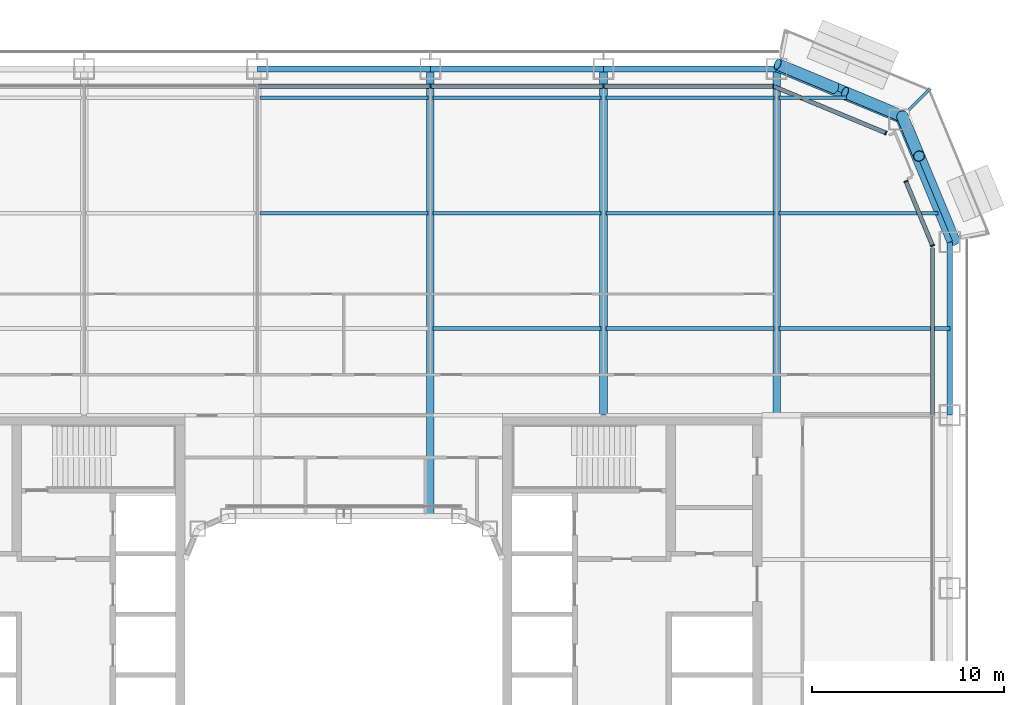
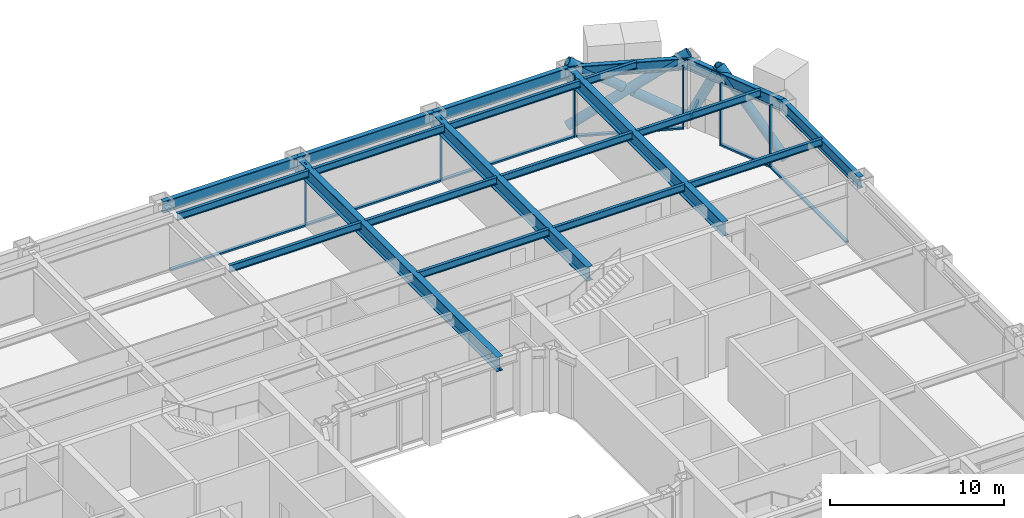
# One storey, part 10 of 30: 21 beams, 17 members, 4 elements without a shape of their own.
"""IFC4 building model written with IfcOpenShell, lengths in metres."""

import ifcopenshell
import ifcopenshell.guid

model = None  # the IFC model being written
_history = None  # IfcOwnerHistory: only IFC2X3 demands one
_inside = {}  # id of a spatial element -> (the spatial element, [elements in it])
_under = {}  # id of a project, library or spatial element -> (it, [spatial elements below it])
_declared = {}  # id of a project -> (the project, [libraries it declares])
_typed = {}  # id of a type object -> (the type object, [elements of that type])
_made_of = {}  # id of a material, layer set ... -> (it, [elements and type objects made of it])


def new_model(schema):
    """Start an empty IFC model of exactly this schema.

    Asked for "IFC4X3", IfcOpenShell would pick the latest addendum, in which some entities
    have other attributes; the version numbers below select the first issue.
    IFC2X3 requires an IfcOwnerHistory on every rooted entity: one is made here for all.
    """
    global model, _history
    if schema == "IFC4X3":
        model = ifcopenshell.file(schema_version=(4, 3, 0, 0))
    else:
        model = ifcopenshell.file(schema=schema)
    _inside.clear()
    _under.clear()
    _declared.clear()
    _typed.clear()
    _made_of.clear()
    _history = None
    if model.schema == "IFC2X3":
        org = make("IfcOrganization", Name="unknown")
        user = make(
            "IfcPersonAndOrganization",
            ThePerson=make("IfcPerson", FamilyName="unknown"),
            TheOrganization=org,
        )
        app = make(
            "IfcApplication",
            ApplicationDeveloper=org,
            Version="unknown",
            ApplicationFullName="unknown",
            ApplicationIdentifier="unknown",
        )
        _history = make(
            "IfcOwnerHistory",
            OwningUser=user,
            OwningApplication=app,
            ChangeAction="ADDED",
            CreationDate=0,
        )
    return model


def make(cls, **values):
    """One entity of the class cls with the attributes given. An attribute that is None is left unset."""
    return model.create_entity(
        cls, **{name: value for name, value in values.items() if value is not None}
    )


def rooted(cls, **values):
    """An entity with a GlobalId (a new one), such as an element, a storey or a relation."""
    return make(cls, GlobalId=ifcopenshell.guid.new(), OwnerHistory=_history, **values)


def si_unit(unit_type, name, prefix=None):
    """IfcSIUnit, for example si_unit("LENGTHUNIT", "METRE", prefix="MILLI")."""
    return make("IfcSIUnit", UnitType=unit_type, Prefix=prefix, Name=name)


def assignment(units):
    """IfcUnitAssignment: the units of a project."""
    return None if units is None else make("IfcUnitAssignment", Units=units)


def point(xyz):
    """IfcCartesianPoint."""
    return None if xyz is None else make("IfcCartesianPoint", Coordinates=xyz)


def direction(xyz):
    """IfcDirection."""
    return None if xyz is None else make("IfcDirection", DirectionRatios=xyz)


def frame(location, z_axis=None, x_axis=None):
    """IfcAxis2Placement3D, a coordinate frame: its origin and axes. An axis left out is left unset."""
    return make(
        "IfcAxis2Placement3D",
        Location=point(location),
        Axis=direction(z_axis),
        RefDirection=direction(x_axis),
    )


def frame_2d(location, x_axis=None):
    """IfcAxis2Placement2D, a coordinate frame in the plane: its origin and x axis."""
    return make(
        "IfcAxis2Placement2D", Location=point(location), RefDirection=direction(x_axis)
    )


def origin():
    """The frame at (0, 0, 0) with its axes left unset."""
    return frame((0.0, 0.0, 0.0))


def origin_2d():
    """The frame at (0, 0) in the plane with its x axis left unset."""
    return frame_2d((0.0, 0.0))


def place(relative_to, where):
    """IfcLocalPlacement: puts the frame where relative to a parent placement (None: the world)."""
    return make(
        "IfcLocalPlacement", PlacementRelTo=relative_to, RelativePlacement=where
    )


def context(
    kind, dimensions, precision=None, world=None, true_north=None, identifier=None
):
    """IfcGeometricRepresentationContext, for example the 3D "Model" context."""
    return make(
        "IfcGeometricRepresentationContext",
        ContextIdentifier=identifier,
        ContextType=kind,
        CoordinateSpaceDimension=dimensions,
        Precision=precision,
        WorldCoordinateSystem=world,
        TrueNorth=true_north,
    )


def subcontext(parent, identifier, kind, view, scale=None):
    """IfcGeometricRepresentationSubContext, for example "Body" below "Model"."""
    return make(
        "IfcGeometricRepresentationSubContext",
        ContextIdentifier=identifier,
        ContextType=kind,
        ParentContext=parent,
        TargetScale=scale,
        TargetView=view,
    )


def project(units=None, contexts=None):
    """IfcProject with its units and contexts."""
    return rooted(
        "IfcProject",
        Name="project",
        RepresentationContexts=contexts,
        UnitsInContext=assignment(units),
    )


def spatial(cls, under=None, at=None, **own):
    """A site, building, storey or space (cls), placed at a placement, below another one or the project."""
    s = rooted(cls, ObjectPlacement=at, **own)
    if under is not None:
        _under.setdefault(under.id(), (under, []))[1].append(s)
    return s


def profile(cls, at=None, kind="AREA", **sizes):
    """A parametric profile (cls). Its sizes go by their IFC names, for example OverallWidth=200.0."""
    return make(cls, ProfileType=kind, Position=at, **sizes)


def rectangle(**sizes):
    """IfcRectangleProfileDef."""
    return profile("IfcRectangleProfileDef", **sizes)


def hollow_rectangle(**sizes):
    """IfcRectangleHollowProfileDef."""
    return profile("IfcRectangleHollowProfileDef", **sizes)


def hollow_circle(**sizes):
    """IfcCircleHollowProfileDef."""
    return profile("IfcCircleHollowProfileDef", **sizes)


def i_section(**sizes):
    """IfcIShapeProfileDef."""
    return profile("IfcIShapeProfileDef", **sizes)


def extrude(swept, where, along, depth):
    """IfcExtrudedAreaSolid: the profile swept, set in the frame where, extruded along a direction by depth."""
    return make(
        "IfcExtrudedAreaSolid",
        SweptArea=swept,
        Position=where,
        ExtrudedDirection=direction(along),
        Depth=depth,
    )


def shape(context_of_items, identifier, shape_type, items):
    """IfcShapeRepresentation: the items that make up one representation, for example the "Body"."""
    return make(
        "IfcShapeRepresentation",
        ContextOfItems=context_of_items,
        RepresentationIdentifier=identifier,
        RepresentationType=shape_type,
        Items=items,
    )


def material(Name=None, Category=None):
    """IfcMaterial."""
    return make("IfcMaterial", Name=Name, Category=Category)


def layer(
    of_material, thickness, ventilated=None, Name=None, Category=None, Priority=None
):
    """IfcMaterialLayer: one layer of a wall or slab, of a material (None: an air gap)."""
    return make(
        "IfcMaterialLayer",
        Material=of_material,
        LayerThickness=thickness,
        IsVentilated=ventilated,
        Name=Name,
        Category=Category,
        Priority=Priority,
    )


def layer_set(layers, Name=None):
    """IfcMaterialLayerSet."""
    return make("IfcMaterialLayerSet", MaterialLayers=layers, LayerSetName=Name)


def material_profile(
    of_material, cross_section, Name=None, Category=None, Priority=None
):
    """IfcMaterialProfile: a cross section and its material."""
    return make(
        "IfcMaterialProfile",
        Name=Name,
        Material=of_material,
        Profile=cross_section,
        Priority=Priority,
        Category=Category,
    )


def profile_set(profiles, Name=None, composite=None):
    """IfcMaterialProfileSet."""
    return make(
        "IfcMaterialProfileSet",
        Name=Name,
        MaterialProfiles=profiles,
        CompositeProfile=composite,
    )


def made_of(thing, what):
    """Note that an element or type object is made of a material, layer set ...; save() writes the relation."""
    if what is not None:
        _made_of.setdefault(what.id(), (what, []))[1].append(thing)
    return thing


def type_object(cls, material=None, **own):
    """A type object (cls), such as IfcWallType, which elements share."""
    return made_of(rooted(cls, **own), material)


def element(
    cls,
    number,
    at=None,
    inside=None,
    cuts=None,
    type_object=None,
    material=None,
    context=None,
    identifier="Body",
    shape_type=None,
    held_by="IfcProductDefinitionShape",
    body=None,
    shapes=None,
    **own,
):
    """One element of the class cls, such as IfcWall. Its Tag is "e" and its number.

    at: its placement. inside: the storey or other place that contains it. cuts: it is an
    opening in that element (IfcRelVoidsElement). A single representation is given by context,
    identifier, shape_type and body (its items); several are given by shapes. held_by: the class
    of the entity that holds the representations. save() writes the other relations.
    """
    e = rooted(cls, Tag="e%d" % number, ObjectPlacement=at, **own)
    if body is not None:
        shapes = [shape(context, identifier, shape_type, body)]
    if shapes is not None:
        e.Representation = make(held_by, Representations=shapes)
    if inside is not None:
        _inside.setdefault(inside.id(), (inside, []))[1].append(e)
    if cuts is not None:
        rooted(
            "IfcRelVoidsElement", RelatingBuildingElement=cuts, RelatedOpeningElement=e
        )
    if type_object is not None:
        _typed.setdefault(type_object.id(), (type_object, []))[1].append(e)
    return made_of(e, material)


def aggregate(whole, parts):
    """IfcRelAggregates: a whole, such as a stair, and the parts it consists of."""
    return rooted("IfcRelAggregates", RelatingObject=whole, RelatedObjects=parts)


def save(model, path):
    """Write the relations noted so far, then the file.

    IfcRelAggregates (storeys below a building ...), IfcRelContainedInSpatialStructure (elements
    in a storey), IfcRelDefinesByType, IfcRelAssociatesMaterial and IfcRelDeclares: one each for
    every whole, place, type object, material and project.
    """
    for whole, parts in _under.values():
        aggregate(whole, parts)
    for where, things in _inside.values():
        rooted(
            "IfcRelContainedInSpatialStructure",
            RelatedElements=things,
            RelatingStructure=where,
        )
    for kind, things in _typed.values():
        rooted("IfcRelDefinesByType", RelatedObjects=things, RelatingType=kind)
    for what, things in _made_of.values():
        rooted("IfcRelAssociatesMaterial", RelatedObjects=things, RelatingMaterial=what)
    for by, libraries in _declared.values():
        rooted("IfcRelDeclares", RelatingContext=by, RelatedDefinitions=libraries)
    model.write(path)


model = new_model("IFC4")

# Units and contexts
model_context = context("Model", 3, precision=1e-05, world=origin(), true_north=direction((0.0, 1.0)))
body_context = subcontext(model_context, "Body", "Model", "MODEL_VIEW")
ifc_project = project(units=[si_unit("LENGTHUNIT", "METRE"), si_unit("AREAUNIT", "SQUARE_METRE"), si_unit("VOLUMEUNIT", "CUBIC_METRE"), si_unit("PLANEANGLEUNIT", "RADIAN"), si_unit("MASSUNIT", "GRAM", prefix="KILO")], contexts=[model_context])

# Site, building, storey
site_placement = place(None, origin())
site = spatial("IfcSite", under=ifc_project, at=site_placement, CompositionType="ELEMENT")
building_placement = place(site_placement, origin())
building = spatial("IfcBuilding", under=site, at=building_placement, Name="Siwar Civic Tower", CompositionType="ELEMENT")
storey_placement = place(building_placement, frame((0.0, 0.0, 26.699951171875)))
storey = spatial("IfcBuildingStorey", under=building, at=storey_placement, Name="L05", CompositionType="ELEMENT", Elevation=26.699951171875)

# Beam
ifc_material_1 = material(Name="Steel S355", Category="steel")
ifc_material_profile_1 = material_profile(ifc_material_1, hollow_rectangle(XDim=0.14990234375, YDim=0.25, WallThickness=0.010009765625, at=origin_2d()), Name="RHS250x150x10")
ifc_profile_set_1 = profile_set([ifc_material_profile_1], Name="Steel S355")
beam_type_1 = type_object("IfcBeamType", Name="ENV-BALCONY ARM", PredefinedType="BEAM", material=ifc_profile_set_1)
beam_1_placement = place(storey_placement, frame((29.378662109375, 29.378662109375, -0.27490234375), z_axis=(0.707106781187, 0.707106781187, 0.0), x_axis=(-0.707106781187, 0.707106781187, 0.0)))
element("IfcBeam", 1, at=beam_1_placement, inside=storey, type_object=beam_type_1, Name="Balcony cantilever beam NE 2", PredefinedType="BEAM", context=body_context, shape_type="SweptSolid", body=[
    extrude(hollow_rectangle(XDim=0.14990234375, YDim=0.25, WallThickness=0.010009765625, at=origin_2d()), origin(), (0.0, 0.0, 1.0), 1.545166015625),
])

# Curtain wall, members
ifc_material_2 = material(Name="Aluminium clad insulated panel", Category="aluminium")
ifc_layer_1 = layer(ifc_material_2, 0.219970703125)
ifc_layer_set_1 = layer_set([ifc_layer_1], Name="Aluminium clad insulated panel")
curtain_wall_type_1 = type_object("IfcCurtainWallType", Name="ENV-CW-AX", PredefinedType="NOTDEFINED", material=ifc_layer_set_1)
curtain_wall_1_placement = place(storey_placement, origin())
curtain_wall_1 = element("IfcCurtainWall", 2, at=curtain_wall_1_placement, inside=storey, type_object=curtain_wall_type_1, Name="Curtain wall A NE1", PredefinedType="NOTDEFINED")
ifc_material_3 = material(Name="Aluminium 6063-T6", Category="aluminium")
ifc_material_profile_2 = material_profile(ifc_material_3, rectangle(XDim=0.219970703125, YDim=0.070068359375, at=origin_2d()), Name="AL 220x70")
ifc_profile_set_2 = profile_set([ifc_material_profile_2], Name="Aluminium 6063-T6")
member_type_1 = type_object("IfcMemberType", Name="ENV-MULLION-A", PredefinedType="MULLION", material=ifc_profile_set_2)
member_1_placement = place(storey_placement, frame((30.60009765625, 22.321044921875, 0.0), z_axis=(0.0, 0.0, 1.0), x_axis=(-0.923879532511, -0.382683432365, 0.0)))
member_1 = element("IfcMember", 3, at=member_1_placement, type_object=member_type_1, Name="Mullion A NE1 1", PredefinedType="MULLION", context=body_context, shape_type="SweptSolid", body=[
    extrude(rectangle(XDim=0.219970703125, YDim=0.070068359375, at=origin_2d()), origin(), (0.0, 0.0, 1.0), 4.35009765625),
])
member_2_placement = place(storey_placement, frame((29.219482421875, 25.653564453125, 0.0), z_axis=(0.0, 0.0, 1.0), x_axis=(-0.923879532511, -0.382683432365, 0.0)))
member_2 = element("IfcMember", 4, at=member_2_placement, type_object=member_type_1, Name="Mullion A NE1 2", PredefinedType="MULLION", context=body_context, shape_type="SweptSolid", body=[
    extrude(rectangle(XDim=0.219970703125, YDim=0.070068359375, at=origin_2d()), origin(), (0.0, 0.0, 1.0), 4.35009765625),
])

# Curtain wall, member
curtain_wall_2_placement = place(storey_placement, origin())
curtain_wall_2 = element("IfcCurtainWall", 5, at=curtain_wall_2_placement, inside=storey, type_object=curtain_wall_type_1, Name="Curtain wall A NE2", PredefinedType="NOTDEFINED")
member_3_placement = place(storey_placement, frame((28.175048828125, 28.175048828125, 0.0), z_axis=(0.0, 0.0, 1.0), x_axis=(-0.382683432365, -0.923879532511, 0.0)))
member_3 = element("IfcMember", 6, at=member_3_placement, type_object=member_type_1, Name="Mullion A NE2 1", PredefinedType="MULLION", context=body_context, shape_type="SweptSolid", body=[
    extrude(rectangle(XDim=0.219970703125, YDim=0.070068359375, at=origin_2d()), origin(), (0.0, 0.0, 1.0), 4.35009765625),
])

# Curtain wall, members
ifc_material_4 = material(Name="Aluminium and glass", Category="aluminium")
ifc_layer_2 = layer(ifc_material_4, 0.219970703125)
ifc_layer_set_2 = layer_set([ifc_layer_2], Name="Aluminium and glass")
curtain_wall_type_2 = type_object("IfcCurtainWallType", Name="ENV-CW-A", PredefinedType="NOTDEFINED", material=ifc_layer_set_2)
curtain_wall_3_placement = place(storey_placement, origin())
curtain_wall_3 = element("IfcCurtainWall", 7, at=curtain_wall_3_placement, inside=storey, type_object=curtain_wall_type_2, Name="Curtain wall A N", PredefinedType="NOTDEFINED")
member_4_placement = place(storey_placement, frame((22.321044921875, 30.60009765625, 0.0), z_axis=(0.0, 0.0, 1.0), x_axis=(0.0, -1.0, 0.0)))
member_4 = element("IfcMember", 8, at=member_4_placement, type_object=member_type_1, Name="Mullion A N 1", PredefinedType="MULLION", context=body_context, shape_type="SweptSolid", body=[
    extrude(rectangle(XDim=0.219970703125, YDim=0.070068359375, at=origin_2d()), origin(), (0.0, 0.0, 1.0), 4.35009765625),
])
member_5_placement = place(storey_placement, frame((13.5, 30.60009765625, 0.0), z_axis=(0.0, 0.0, 1.0), x_axis=(0.0, -1.0, 0.0)))
member_5 = element("IfcMember", 9, at=member_5_placement, type_object=member_type_1, Name="Mullion A N 2", PredefinedType="MULLION", context=body_context, shape_type="SweptSolid", body=[
    extrude(rectangle(XDim=0.219970703125, YDim=0.070068359375, at=origin_2d()), origin(), (0.0, 0.0, 1.0), 4.35009765625),
])
member_6_placement = place(storey_placement, frame((4.5, 30.60009765625, 0.0), z_axis=(0.0, 0.0, 1.0), x_axis=(0.0, -1.0, 0.0)))
member_6 = element("IfcMember", 10, at=member_6_placement, type_object=member_type_1, Name="Mullion A N 3", PredefinedType="MULLION", context=body_context, shape_type="SweptSolid", body=[
    extrude(rectangle(XDim=0.219970703125, YDim=0.070068359375, at=origin_2d()), origin(), (0.0, 0.0, 1.0), 4.35009765625),
])

# Curtain wall, member
curtain_wall_4_placement = place(storey_placement, origin())
curtain_wall_4 = element("IfcCurtainWall", 11, at=curtain_wall_4_placement, inside=storey, type_object=curtain_wall_type_2, Name="Curtain wall A E", PredefinedType="NOTDEFINED")
ifc_material_5 = material(Name="Aluminium 6063-T6", Category="aluminium")
ifc_material_profile_3 = material_profile(ifc_material_5, rectangle(XDim=0.219970703125, YDim=0.1201171875, at=origin_2d()), Name="AL 220x120")
ifc_profile_set_3 = profile_set([ifc_material_profile_3], Name="Aluminium 6063-T6")
member_type_2 = type_object("IfcMemberType", Name="ENV-TRANSOM-A", PredefinedType="USERDEFINED", material=ifc_profile_set_3)
member_7_placement = place(storey_placement, frame((30.60009765625, 13.534912109375, 0.06005859375), z_axis=(0.0, 1.0, 0.0), x_axis=(-1.0, 0.0, 0.0)))
member_7 = element("IfcMember", 12, at=member_7_placement, type_object=member_type_2, Name="Transom A E 5", ObjectType="TRANSOM", PredefinedType="USERDEFINED", context=body_context, shape_type="SweptSolid", body=[
    extrude(rectangle(XDim=0.219970703125, YDim=0.1201171875, at=origin_2d()), origin(), (0.0, 0.0, 1.0), 8.66357421875),
])
aggregate(curtain_wall_4, [member_7])

# Member
member_8_placement = place(storey_placement, frame((30.586669921875, 22.353271484375, 0.06005859375), z_axis=(-0.38270330002, 0.923871302809, 0.0), x_axis=(-0.923871302809, -0.38270330002, 0.0)))
member_8 = element("IfcMember", 13, at=member_8_placement, type_object=member_type_2, Name="Transom A NE1 1", ObjectType="TRANSOM", PredefinedType="USERDEFINED", context=body_context, shape_type="SweptSolid", body=[
    extrude(rectangle(XDim=0.219970703125, YDim=0.1201171875, at=origin_2d()), origin(), (0.0, 0.0, 1.0), 3.537353515625),
])

aggregate(curtain_wall_1, [member_1, member_2, member_8])

member_9_placement = place(storey_placement, frame((28.142822265625, 28.1884765625, 0.06005859375), z_axis=(-0.923873326341, 0.382698415042, 0.0), x_axis=(-0.382698415042, -0.923873326341, 0.0)))
member_9 = element("IfcMember", 14, at=member_9_placement, type_object=member_type_2, Name="Transom A NE2 1", ObjectType="TRANSOM", PredefinedType="USERDEFINED", context=body_context, shape_type="SweptSolid", body=[
    extrude(rectangle(XDim=0.219970703125, YDim=0.1201171875, at=origin_2d()), origin(), (0.0, 0.0, 1.0), 6.17919921875),
])

aggregate(curtain_wall_2, [member_3, member_9])

member_10_placement = place(storey_placement, frame((22.285888671875, 30.60009765625, 0.06005859375), z_axis=(-1.0, 0.0, 0.0), x_axis=(0.0, -1.0, 0.0)))
member_10 = element("IfcMember", 15, at=member_10_placement, type_object=member_type_2, Name="Transom A N 1", ObjectType="TRANSOM", PredefinedType="USERDEFINED", context=body_context, shape_type="SweptSolid", body=[
    extrude(rectangle(XDim=0.219970703125, YDim=0.1201171875, at=origin_2d()), origin(), (0.0, 0.0, 1.0), 8.7509765625),
])

member_11_placement = place(storey_placement, frame((13.465087890625, 30.60009765625, 0.06005859375), z_axis=(-1.0, 0.0, 0.0), x_axis=(0.0, -1.0, 0.0)))
member_11 = element("IfcMember", 16, at=member_11_placement, type_object=member_type_2, Name="Transom A N 2", ObjectType="TRANSOM", PredefinedType="USERDEFINED", context=body_context, shape_type="SweptSolid", body=[
    extrude(rectangle(XDim=0.219970703125, YDim=0.1201171875, at=origin_2d()), origin(), (0.0, 0.0, 1.0), 8.93017578125),
])

member_12_placement = place(storey_placement, frame((4.465087890625, 30.60009765625, 0.06005859375), z_axis=(-1.0, 0.0, 0.0), x_axis=(0.0, -1.0, 0.0)))
member_12 = element("IfcMember", 17, at=member_12_placement, type_object=member_type_2, Name="Transom A N 3", ObjectType="TRANSOM", PredefinedType="USERDEFINED", context=body_context, shape_type="SweptSolid", body=[
    extrude(rectangle(XDim=0.219970703125, YDim=0.1201171875, at=origin_2d()), origin(), (0.0, 0.0, 1.0), 8.93017578125),
])

aggregate(curtain_wall_3, [member_4, member_5, member_6, member_10, member_11, member_12])

# Members
ifc_material_6 = material(Name="Steel S355", Category="steel")
ifc_material_profile_4 = material_profile(ifc_material_6, hollow_circle(Radius=0.304931640625, WallThickness=0.030029296875, at=origin_2d()), Name="CHS610x30")
ifc_profile_set_4 = profile_set([ifc_material_profile_4], Name="Steel S355")
member_type_3 = type_object("IfcMemberType", Name="STR-BR-CHS610x30", PredefinedType="BRACE", material=ifc_profile_set_4)
member_13_placement = place(storey_placement, frame((22.548828125, 31.7451171875, 0.0), z_axis=(0.777554562952, -0.323905527954, 0.538975055633), x_axis=(0.384538969033, 0.923108759191, 0.0)))
element("IfcMember", 18, at=member_13_placement, inside=storey, type_object=member_type_3, Name="L05/brc/ANE1-4-0-1", PredefinedType="BRACE", context=body_context, shape_type="SweptSolid", body=[
    extrude(hollow_circle(Radius=0.304931640625, WallThickness=0.030029296875, at=origin_2d()), origin(), (0.0, 0.0, 1.0), 8.34912109375),
])
member_14_placement = place(storey_placement, frame((29.040771484375, 29.040771484375, 0.0), z_axis=(-0.777542179573, 0.323922979564, 0.53898243227), x_axis=(-0.384561842466, -0.923099230484, 0.0)))
element("IfcMember", 19, at=member_14_placement, inside=storey, type_object=member_type_3, Name="L05/brc/ANE1-4-0-2", PredefinedType="BRACE", context=body_context, shape_type="SweptSolid", body=[
    extrude(hollow_circle(Radius=0.304931640625, WallThickness=0.030029296875, at=origin_2d()), origin(), (0.0, 0.0, 1.0), 3.84375),
])
member_15_placement = place(storey_placement, frame((25.537353515625, 30.500244140625, 2.428466796875), z_axis=(-0.777559680196, 0.3238932121, 0.53897507446), x_axis=(-0.384524353215, -0.923114847559, 0.0)))
element("IfcMember", 20, at=member_15_placement, inside=storey, type_object=member_type_3, Name="L05/brc/ANE1-4-0-3", PredefinedType="BRACE", context=body_context, shape_type="SweptSolid", body=[
    extrude(hollow_circle(Radius=0.304931640625, WallThickness=0.030029296875, at=origin_2d()), origin(), (0.0, 0.0, 1.0), 3.843505859375),
])
member_16_placement = place(storey_placement, frame((31.7451171875, 22.548828125, 0.0), z_axis=(-0.280310719993, 0.672864582402, 0.684601456328), x_axis=(-0.923101041979, -0.384557494138, 0.0)))
element("IfcMember", 21, at=member_16_placement, inside=storey, type_object=member_type_3, Name="L05/brc/ANE1-4-0-0", PredefinedType="BRACE", context=body_context, shape_type="SweptSolid", body=[
    extrude(hollow_circle(Radius=0.304931640625, WallThickness=0.030029296875, at=origin_2d()), origin(), (0.0, 0.0, 1.0), 6.5732421875),
])
member_17_placement = place(storey_placement, frame((29.040771484375, 29.040771484375, 0.0), z_axis=(0.171426870802, -0.411570178484, 0.895110504993), x_axis=(0.923125254544, 0.384499368559, 0.0)))
element("IfcMember", 22, at=member_17_placement, inside=storey, type_object=member_type_3, Name="L05/brc/ANE1-4-0-6", PredefinedType="BRACE", context=body_context, shape_type="SweptSolid", body=[
    extrude(hollow_circle(Radius=0.304931640625, WallThickness=0.030029296875, at=origin_2d()), origin(), (0.0, 0.0, 1.0), 5.02734375),
])

# Beams
ifc_material_7 = material(Name="Steel S355", Category="steel")
ifc_material_profile_5 = material_profile(ifc_material_7, i_section(OverallWidth=0.199951171875, OverallDepth=0.5, WebThickness=0.01025390625, FlangeThickness=0.01611328125, FilletRadius=0.02099609375, at=origin_2d()), Name="IPE500")
ifc_profile_set_5 = profile_set([ifc_material_profile_5], Name="Steel S355")
beam_type_2 = type_object("IfcBeamType", Name="STR-FB-IPE500", PredefinedType="JOIST", material=ifc_profile_set_5)
for number, where, z_axis, x_axis, name in (
    (23, (4.6298828125, 18.0, 4.10009765625), (1.0, 0.0, 0.0), (0.0, 1.0, 0.0), "L05/bm/F050"),
    (24, (13.6298828125, 18.0, 4.10009765625), (1.0, 0.0, 0.0), (0.0, 1.0, 0.0), "L05/bm/F051"),
):
    element("IfcBeam", number, at=place(storey_placement, frame(where, z_axis=z_axis, x_axis=x_axis)), inside=storey, type_object=beam_type_2, Name=name, PredefinedType="JOIST", context=body_context, shape_type="SweptSolid", body=[
        extrude(i_section(OverallWidth=0.199951171875, OverallDepth=0.5, WebThickness=0.01025390625, FlangeThickness=0.01611328125, FilletRadius=0.02099609375, at=origin_2d()), origin(), (0.0, 0.0, 1.0), 8.740234375),
    ])
beam_2_placement = place(storey_placement, frame((22.6298828125, 18.0, 4.10009765625), z_axis=(1.0, 0.0, 0.0), x_axis=(0.0, 1.0, 0.0)))
element("IfcBeam", 25, at=beam_2_placement, inside=storey, type_object=beam_type_2, Name="L05/bm/F052", PredefinedType="JOIST", context=body_context, shape_type="SweptSolid", body=[
    extrude(i_section(OverallWidth=0.199951171875, OverallDepth=0.5, WebThickness=0.01025390625, FlangeThickness=0.01611328125, FilletRadius=0.02099609375, at=origin_2d()), origin(), (0.0, 0.0, 1.0), 8.8701171875),
])
for number, where, z_axis, x_axis, name in (
    (26, (-4.3701171875, 24.0, 4.10009765625), (1.0, 0.0, 0.0), (0.0, 1.0, 0.0), "L05/bm/F056"),
    (27, (4.6298828125, 24.0, 4.10009765625), (1.0, 0.0, 0.0), (0.0, 1.0, 0.0), "L05/bm/F057"),
    (28, (13.6298828125, 24.0, 4.10009765625), (1.0, 0.0, 0.0), (0.0, 1.0, 0.0), "L05/bm/F058"),
):
    element("IfcBeam", number, at=place(storey_placement, frame(where, z_axis=z_axis, x_axis=x_axis)), inside=storey, type_object=beam_type_2, Name=name, PredefinedType="JOIST", context=body_context, shape_type="SweptSolid", body=[
        extrude(i_section(OverallWidth=0.199951171875, OverallDepth=0.5, WebThickness=0.01025390625, FlangeThickness=0.01611328125, FilletRadius=0.02099609375, at=origin_2d()), origin(), (0.0, 0.0, 1.0), 8.740234375),
    ])
beam_3_placement = place(storey_placement, frame((22.6298828125, 24.0, 4.10009765625), z_axis=(1.0, 0.0, 0.0), x_axis=(0.0, 1.0, 0.0)))
element("IfcBeam", 29, at=beam_3_placement, inside=storey, type_object=beam_type_2, Name="L05/bm/F059", PredefinedType="JOIST", context=body_context, shape_type="SweptSolid", body=[
    extrude(i_section(OverallWidth=0.199951171875, OverallDepth=0.5, WebThickness=0.01025390625, FlangeThickness=0.01611328125, FilletRadius=0.02099609375, at=origin_2d()), origin(), (0.0, 0.0, 1.0), 8.248779296875),
])
for number, where, z_axis, x_axis, name in (
    (30, (-4.3701171875, 30.0, 4.10009765625), (1.0, 0.0, 0.0), (0.0, 1.0, 0.0), "L05/bm/F063"),
    (31, (4.6298828125, 30.0, 4.10009765625), (1.0, 0.0, 0.0), (0.0, 1.0, 0.0), "L05/bm/F064"),
    (32, (13.6298828125, 30.0, 4.10009765625), (1.0, 0.0, 0.0), (0.0, 1.0, 0.0), "L05/bm/F065"),
):
    element("IfcBeam", number, at=place(storey_placement, frame(where, z_axis=z_axis, x_axis=x_axis)), inside=storey, type_object=beam_type_2, Name=name, PredefinedType="JOIST", context=body_context, shape_type="SweptSolid", body=[
        extrude(i_section(OverallWidth=0.199951171875, OverallDepth=0.5, WebThickness=0.01025390625, FlangeThickness=0.01611328125, FilletRadius=0.02099609375, at=origin_2d()), origin(), (0.0, 0.0, 1.0), 8.740234375),
    ])
beam_4_placement = place(storey_placement, frame((22.6298828125, 30.0, 4.10009765625), z_axis=(1.0, 0.0, 0.0), x_axis=(0.0, 1.0, 0.0)))
element("IfcBeam", 33, at=beam_4_placement, inside=storey, type_object=beam_type_2, Name="L05/bm/F066", PredefinedType="JOIST", context=body_context, shape_type="SweptSolid", body=[
    extrude(i_section(OverallWidth=0.199951171875, OverallDepth=0.5, WebThickness=0.01025390625, FlangeThickness=0.01611328125, FilletRadius=0.02099609375, at=origin_2d()), origin(), (0.0, 0.0, 1.0), 3.491455078125),
])
ifc_material_8 = material(Name="Steel S355", Category="steel")
ifc_material_profile_6 = material_profile(ifc_material_8, i_section(OverallWidth=0.39990234375, OverallDepth=1.0, WebThickness=0.01611328125, FlangeThickness=0.0400390625, at=origin_2d()), Name="PG1000x400x16x40")
ifc_profile_set_6 = profile_set([ifc_material_profile_6], Name="Steel S355")
beam_type_3 = type_object("IfcBeamType", Name="STR-PG-PG1000x400x16x40", PredefinedType="BEAM", material=ifc_profile_set_6)
beam_5_placement = place(storey_placement, frame((4.5, 8.25, 3.85009765625), z_axis=(0.0, 1.0, 0.0), x_axis=(-1.0, 0.0, 0.0)))
element("IfcBeam", 34, at=beam_5_placement, inside=storey, type_object=beam_type_3, Name="L05/bm/G08", PredefinedType="BEAM", context=body_context, shape_type="SweptSolid", body=[
    extrude(i_section(OverallWidth=0.39990234375, OverallDepth=1.0, WebThickness=0.01611328125, FlangeThickness=0.0400390625, at=origin_2d()), origin(), (0.0, 0.0, 1.0), 23.25),
])
for number, where, z_axis, x_axis, name in (
    (35, (13.5, 13.5, 3.85009765625), (0.0, 1.0, 0.0), (-1.0, 0.0, 0.0), "L05/bm/G10"),
    (36, (22.5, 13.5, 3.85009765625), (0.0, 1.0, 0.0), (-1.0, 0.0, 0.0), "L05/bm/G12"),
):
    element("IfcBeam", number, at=place(storey_placement, frame(where, z_axis=z_axis, x_axis=x_axis)), inside=storey, type_object=beam_type_3, Name=name, PredefinedType="BEAM", context=body_context, shape_type="SweptSolid", body=[
        extrude(i_section(OverallWidth=0.39990234375, OverallDepth=1.0, WebThickness=0.01611328125, FlangeThickness=0.0400390625, at=origin_2d()), origin(), (0.0, 0.0, 1.0), 18.0),
    ])
ifc_material_9 = material(Name="Steel S355", Category="steel")
ifc_material_profile_7 = material_profile(ifc_material_9, i_section(OverallWidth=0.302978515625, OverallDepth=0.81396484375, WebThickness=0.02099609375, FlangeThickness=0.0400390625, FilletRadius=0.030029296875, at=origin_2d()), Name="HEM800")
ifc_profile_set_7 = profile_set([ifc_material_profile_7], Name="Steel S355")
beam_type_4 = type_object("IfcBeamType", Name="STR-SB-HEM800", PredefinedType="BEAM", material=ifc_profile_set_7)
beam_6_placement = place(storey_placement, frame((31.5, 13.5, 3.943115234375), z_axis=(0.0, 1.0, 0.0), x_axis=(-1.0, 0.0, 0.0)))
element("IfcBeam", 37, at=beam_6_placement, inside=storey, type_object=beam_type_4, Name="L05/bm/SE-4", PredefinedType="BEAM", context=body_context, shape_type="SweptSolid", body=[
    extrude(i_section(OverallWidth=0.302978515625, OverallDepth=0.81396484375, WebThickness=0.02099609375, FlangeThickness=0.0400390625, FilletRadius=0.030029296875, at=origin_2d()), origin(), (0.0, 0.0, 1.0), 9.0),
])
for number, where, z_axis, x_axis, name in (
    (38, (31.5, 22.5, 3.943115234375), (-0.382674207535, 0.923883353507, 0.0), (-0.923883353507, -0.382674207535, 0.0), "L05/bm/SNE1-0"),
    (39, (28.864013671875, 28.864013671875, 3.943115234375), (-0.923883353507, 0.382674207535, 0.0), (-0.382674207535, -0.923883353507, 0.0), "L05/bm/SNE2-0"),
):
    element("IfcBeam", number, at=place(storey_placement, frame(where, z_axis=z_axis, x_axis=x_axis)), inside=storey, type_object=beam_type_4, Name=name, PredefinedType="BEAM", context=body_context, shape_type="SweptSolid", body=[
        extrude(i_section(OverallWidth=0.302978515625, OverallDepth=0.81396484375, WebThickness=0.02099609375, FlangeThickness=0.0400390625, FilletRadius=0.030029296875, at=origin_2d()), origin(), (0.0, 0.0, 1.0), 6.888427734375),
    ])
for number, where, z_axis, x_axis, name in (
    (40, (22.5, 31.5, 3.943115234375), (-1.0, 0.0, 0.0), (0.0, -1.0, 0.0), "L05/bm/SN-0"),
    (41, (13.5, 31.5, 3.943115234375), (-1.0, 0.0, 0.0), (0.0, -1.0, 0.0), "L05/bm/SN-1"),
    (42, (4.5, 31.5, 3.943115234375), (-1.0, 0.0, 0.0), (0.0, -1.0, 0.0), "L05/bm/SN-2"),
):
    element("IfcBeam", number, at=place(storey_placement, frame(where, z_axis=z_axis, x_axis=x_axis)), inside=storey, type_object=beam_type_4, Name=name, PredefinedType="BEAM", context=body_context, shape_type="SweptSolid", body=[
        extrude(i_section(OverallWidth=0.302978515625, OverallDepth=0.81396484375, WebThickness=0.02099609375, FlangeThickness=0.0400390625, FilletRadius=0.030029296875, at=origin_2d()), origin(), (0.0, 0.0, 1.0), 9.0),
    ])

save(model, "model.ifc")
